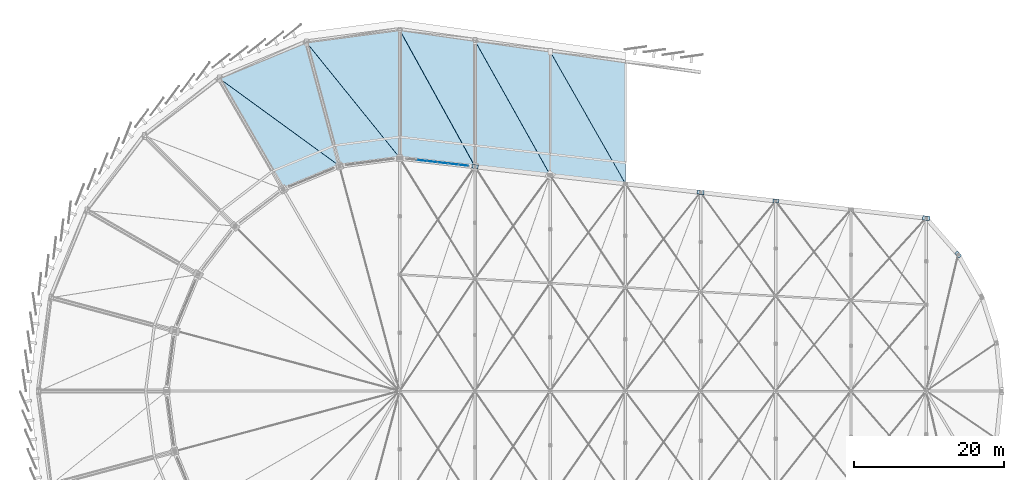
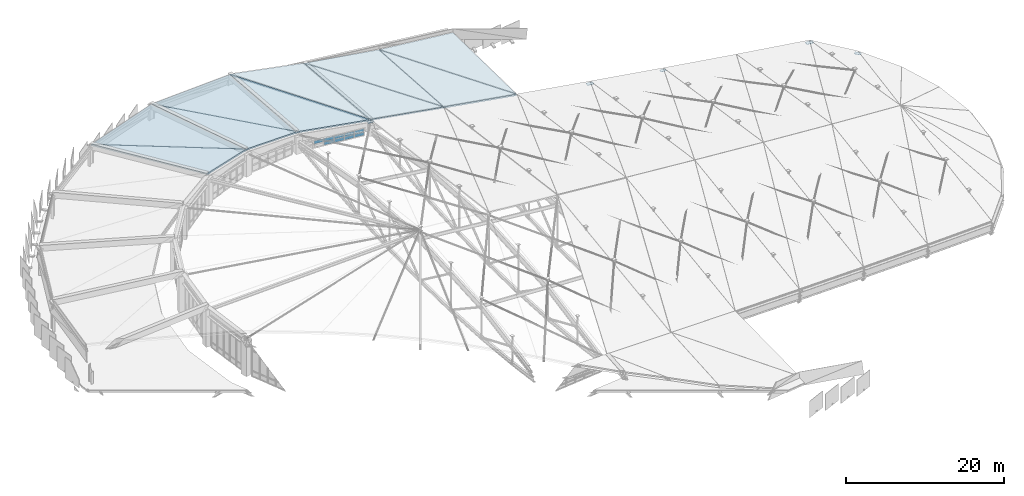
# One storey, part 59 of 68: 14 plates, 10 slabs, 1 element without a shape of its own.
"""IFC4 building model written with IfcOpenShell, lengths in metres."""

from ifc_helpers import new_model, si_unit, direction, frame, origin, origin_2d, place, context, subcontext, project, spatial, polyline, rectangle, outline, extrude, material, layer, layer_set, type_object, element, aggregate, save


model = new_model("IFC4")

# Units and contexts
model_context = context("Model", 3, precision=1e-05, world=origin(), true_north=direction((0.0, 1.0)))
body_context = subcontext(model_context, "Body", "Model", "MODEL_VIEW")
ifc_project = project(units=[si_unit("LENGTHUNIT", "METRE"), si_unit("AREAUNIT", "SQUARE_METRE"), si_unit("VOLUMEUNIT", "CUBIC_METRE"), si_unit("PLANEANGLEUNIT", "RADIAN"), si_unit("MASSUNIT", "GRAM", prefix="KILO")], contexts=[model_context])

# Site, building, storey
site_placement = place(None, origin())
site = spatial("IfcSite", under=ifc_project, at=site_placement, CompositionType="ELEMENT")
building_placement = place(site_placement, origin())
building = spatial("IfcBuilding", under=site, at=building_placement, Name="Sohan Crest Arena", CompositionType="ELEMENT")
storey_placement = place(building_placement, frame((0.0, 0.0, 27.0)))
storey = spatial("IfcBuildingStorey", under=building, at=storey_placement, Name="RF", CompositionType="ELEMENT", Elevation=27.0)

# Curtain wall, plates
ifc_material_1 = material(Name="Thermally broken anodised aluminium", Category="aluminium")
ifc_layer_1 = layer(ifc_material_1, 0.18994140625, Name="Thermally broken anodised aluminium")
ifc_layer_set_1 = layer_set([ifc_layer_1], Name="Thermally broken anodised aluminium")
curtain_wall_type = type_object("IfcCurtainWallType", Name="ARC-CW05", PredefinedType="NOTDEFINED", material=ifc_layer_set_1)
curtain_wall_placement = place(storey_placement, origin())
curtain_wall = element("IfcCurtainWall", 1, at=curtain_wall_placement, inside=storey, type_object=curtain_wall_type, Name="Unitised curtain wall CW-201", PredefinedType="NOTDEFINED")
ifc_material_2 = material(Name="Ceramic-fritted solar-control insulated glass", Category="glass")
ifc_layer_2 = layer(ifc_material_2, 0.035888671875, Name="Ceramic-fritted solar-control insulated glass")
ifc_layer_set_2 = layer_set([ifc_layer_2], Name="Ceramic-fritted solar-control insulated glass")
plate_type_1 = type_object("IfcPlateType", Name="ARC-CNP03", PredefinedType="CURTAIN_PANEL", material=ifc_layer_set_2)
plate_1_placement = place(storey_placement, frame((106.47021484375, 108.03173828125, 0.06494140625), z_axis=(0.0, 0.0, 1.0), x_axis=(-0.993526932422, 0.11359680696, 0.0)))
plate_1 = element("IfcPlate", 2, at=plate_1_placement, type_object=plate_type_1, Name="CW-201 panel 1.1", PredefinedType="CURTAIN_PANEL", context=body_context, shape_type="SweptSolid", body=[
    extrude(rectangle(XDim=1.299072265625, YDim=0.035888671875, at=origin_2d()), origin(), (0.0, 0.0, 1.0), 0.486572265625),
])
plate_2_placement = place(storey_placement, frame((106.47021484375, 108.03173828125, 0.6162109375), z_axis=(0.0, 0.0, 1.0), x_axis=(-0.993526932422, 0.11359680696, 0.0)))
plate_2 = element("IfcPlate", 3, at=plate_2_placement, type_object=plate_type_1, Name="CW-201 panel 1.2", PredefinedType="CURTAIN_PANEL", context=body_context, shape_type="SweptSolid", body=[
    extrude(rectangle(XDim=1.299072265625, YDim=0.035888671875, at=origin_2d()), origin(), (0.0, 0.0, 1.0), 0.485595703125),
])
plate_3_placement = place(storey_placement, frame((105.092529296875, 108.189208984375, 0.06494140625), z_axis=(0.0, 0.0, 1.0), x_axis=(-0.993526932422, 0.11359680696, 0.0)))
plate_3 = element("IfcPlate", 4, at=plate_3_placement, type_object=plate_type_1, Name="CW-201 panel 2.1", PredefinedType="CURTAIN_PANEL", context=body_context, shape_type="SweptSolid", body=[
    extrude(rectangle(XDim=1.333984375, YDim=0.035888671875, at=origin_2d()), origin(), (0.0, 0.0, 1.0), 0.486572265625),
])
plate_4_placement = place(storey_placement, frame((105.092529296875, 108.189208984375, 0.6162109375), z_axis=(0.0, 0.0, 1.0), x_axis=(-0.993526932422, 0.11359680696, 0.0)))
plate_4 = element("IfcPlate", 5, at=plate_4_placement, type_object=plate_type_1, Name="CW-201 panel 2.2", PredefinedType="CURTAIN_PANEL", context=body_context, shape_type="SweptSolid", body=[
    extrude(rectangle(XDim=1.333984375, YDim=0.035888671875, at=origin_2d()), origin(), (0.0, 0.0, 1.0), 0.485595703125),
])
plate_5_placement = place(storey_placement, frame((103.697509765625, 108.3486328125, 0.06494140625), z_axis=(0.0, 0.0, 1.0), x_axis=(-0.993526932422, 0.11359680696, 0.0)))
plate_5 = element("IfcPlate", 6, at=plate_5_placement, type_object=plate_type_1, Name="CW-201 panel 3.1", PredefinedType="CURTAIN_PANEL", context=body_context, shape_type="SweptSolid", body=[
    extrude(rectangle(XDim=1.333984375, YDim=0.035888671875, at=origin_2d()), origin(), (0.0, 0.0, 1.0), 0.486572265625),
])
plate_6_placement = place(storey_placement, frame((103.697509765625, 108.3486328125, 0.6162109375), z_axis=(0.0, 0.0, 1.0), x_axis=(-0.993526932422, 0.11359680696, 0.0)))
plate_6 = element("IfcPlate", 7, at=plate_6_placement, type_object=plate_type_1, Name="CW-201 panel 3.2", PredefinedType="CURTAIN_PANEL", context=body_context, shape_type="SweptSolid", body=[
    extrude(rectangle(XDim=1.333984375, YDim=0.035888671875, at=origin_2d()), origin(), (0.0, 0.0, 1.0), 0.485595703125),
])
plate_7_placement = place(storey_placement, frame((102.302490234375, 108.50830078125, 0.06494140625), z_axis=(0.0, 0.0, 1.0), x_axis=(-0.993526932422, 0.11359680696, 0.0)))
plate_7 = element("IfcPlate", 8, at=plate_7_placement, type_object=plate_type_1, Name="CW-201 panel 4.1", PredefinedType="CURTAIN_PANEL", context=body_context, shape_type="SweptSolid", body=[
    extrude(rectangle(XDim=1.333984375, YDim=0.035888671875, at=origin_2d()), origin(), (0.0, 0.0, 1.0), 0.486572265625),
])
plate_8_placement = place(storey_placement, frame((102.302490234375, 108.50830078125, 0.6162109375), z_axis=(0.0, 0.0, 1.0), x_axis=(-0.993526932422, 0.11359680696, 0.0)))
plate_8 = element("IfcPlate", 9, at=plate_8_placement, type_object=plate_type_1, Name="CW-201 panel 4.2", PredefinedType="CURTAIN_PANEL", context=body_context, shape_type="SweptSolid", body=[
    extrude(rectangle(XDim=1.333984375, YDim=0.035888671875, at=origin_2d()), origin(), (0.0, 0.0, 1.0), 0.485595703125),
])
plate_9_placement = place(storey_placement, frame((100.907470703125, 108.667724609375, 0.6162109375), z_axis=(0.0, 0.0, 1.0), x_axis=(-0.993526932422, 0.11359680696, 0.0)))
plate_9 = element("IfcPlate", 10, at=plate_9_placement, type_object=plate_type_1, Name="CW-201 panel 5.2", PredefinedType="CURTAIN_PANEL", context=body_context, shape_type="SweptSolid", body=[
    extrude(rectangle(XDim=1.333984375, YDim=0.035888671875, at=origin_2d()), origin(), (0.0, 0.0, 1.0), 0.485595703125),
])
aggregate(curtain_wall, [plate_1, plate_2, plate_3, plate_4, plate_5, plate_6, plate_7, plate_8, plate_9])

# Slabs
ifc_material_3 = material(Name="Concrete C40/50", Category="concrete")
ifc_layer_3 = layer(ifc_material_3, 0.195068359375, Name="Concrete C40/50")
ifc_layer_set_3 = layer_set([ifc_layer_3], Name="Concrete C40/50")
slab_type = type_object("IfcSlabType", Name="SL-RF02", PredefinedType="ROOF", material=ifc_layer_set_3)
slab_1_placement = place(storey_placement, frame((97.991943359375, 109.02197265625, 3.156982421875), z_axis=(0.050367447576, 0.085043371256, 0.995103384192), x_axis=(0.0, 0.996368019697, -0.08515144934)))
element("IfcSlab", 11, at=slab_1_placement, inside=storey, type_object=slab_type, Name="Sloped roof deck panel RF-SL-049", PredefinedType="ROOF", context=body_context, shape_type="SweptSolid", body=[
    extrude(outline(polyline([(0.0, 0.0), (17.02790948497241, 0.0), (15.335465261930256, 12.413705256790529), (0.0, 0.0)])), origin(), (0.0, 0.0, -1.0), 0.195068359375),
])
slab_2_placement = place(storey_placement, frame((97.986083984375, 109.010009765625, 3.156982421875), z_axis=(0.080535463488, 0.109243871098, 0.990747099793), x_axis=(-0.628385122436, 0.777132095967, -0.034609873136)))
element("IfcSlab", 12, at=slab_2_placement, inside=storey, type_object=slab_type, Name="Sloped roof deck panel RF-SL-050", PredefinedType="ROOF", context=body_context, shape_type="SweptSolid", body=[
    extrude(outline(polyline([(0.0, 0.0), (19.730246494863795, 4.718447854656915e-16), (4.18591879415617, 6.949148391085508), (0.0, 0.0)])), origin(), (0.0, 0.0, -1.0), 0.195068359375),
])
slab_3_placement = place(storey_placement, frame((89.962890625, 107.962890625, 3.924072265625), z_axis=(0.023764008276, 0.094427667193, 0.995248053291), x_axis=(-0.257875109561, 0.962418298802, -0.085155422612)))
element("IfcSlab", 13, at=slab_3_placement, inside=storey, type_object=slab_type, Name="Sloped roof deck panel RF-SL-051", PredefinedType="ROOF", context=body_context, shape_type="SweptSolid", body=[
    extrude(outline(polyline([(0.0, 0.0), (17.027114978644033, -2.914335439641036e-16), (15.338168815716916, 12.412947981430916), (0.0, 0.0)])), origin(), (0.0, 0.0, -1.0), 0.195068359375),
])
slab_4_placement = place(storey_placement, frame((89.9609375, 107.949951171875, 3.924072265625), z_axis=(0.045551338616, 0.124122815708, 0.99122076359), x_axis=(-0.808080883622, 0.587940398529, -0.036487988452)))
element("IfcSlab", 14, at=slab_4_placement, inside=storey, type_object=slab_type, Name="Sloped roof deck panel RF-SL-052", PredefinedType="ROOF", context=body_context, shape_type="SweptSolid", body=[
    extrude(outline(polyline([(0.0, 0.0), (19.73171812613237, 1.2073675392798577e-15), (4.185832923773577, 6.945971145096835), (0.0, 0.0)])), origin(), (0.0, 0.0, -1.0), 0.195068359375),
])
slab_5_placement = place(storey_placement, frame((127.992919921875, 105.593017578125, 0.472900390625), z_axis=(0.002365908166, 0.016560546918, 0.999860065591), x_axis=(0.0, 0.999862863972, -0.016560593268)))
element("IfcSlab", 15, at=slab_5_placement, inside=storey, type_object=slab_type, Name="Sloped roof deck panel RF-SL-111", PredefinedType="ROOF", context=body_context, shape_type="SweptSolid", body=[
    extrude(outline(polyline([(0.0, 0.0), (16.11329369746797, 2.168404344971009e-19), (17.538879421490787, 9.980008400444632), (0.0, 0.0)])), origin(), (0.0, 0.0, -1.0), 0.195068359375),
])
slab_6_placement = place(storey_placement, frame((127.987060546875, 105.5830078125, 0.472900390625), z_axis=(0.093410699905, 0.068271830998, 0.993284147782), x_axis=(-0.494554756656, 0.869045875046, -0.013223453912)))
element("IfcSlab", 16, at=slab_6_placement, inside=storey, type_object=slab_type, Name="Sloped roof deck panel RF-SL-112", PredefinedType="ROOF", context=body_context, shape_type="SweptSolid", body=[
    extrude(outline(polyline([(0.0, 0.0), (20.179727996596498, 1.491862189340054e-16), (5.9159530113368985, 8.163543006691086), (0.0, 0.0)])), origin(), (0.0, 0.0, -1.0), 0.195068359375),
])
slab_7_placement = place(storey_placement, frame((117.992919921875, 106.737060546875, 1.3330078125), z_axis=(0.066920646942, 0.068417932428, 0.995409771669), x_axis=(0.0, 0.997646194246, -0.068571649433)))
element("IfcSlab", 17, at=slab_7_placement, inside=storey, type_object=slab_type, Name="Sloped roof deck panel RF-SL-113", PredefinedType="ROOF", context=body_context, shape_type="SweptSolid", body=[
    extrude(outline(polyline([(0.0, 0.0), (16.434680138421086, -1.3877787807814457e-17), (17.81708325721878, 10.002402846218144), (0.0, 0.0)])), origin(), (0.0, 0.0, -1.0), 0.195068359375),
])
slab_8_placement = place(storey_placement, frame((117.987060546875, 106.72705078125, 1.3330078125), z_axis=(0.098846336152, 0.086170930041, 0.991364702138), x_axis=(-0.48843104729, 0.872181229437, -0.02711116117)))
element("IfcSlab", 18, at=slab_8_placement, inside=storey, type_object=slab_type, Name="Sloped roof deck panel RF-SL-114", PredefinedType="ROOF", context=body_context, shape_type="SweptSolid", body=[
    extrude(outline(polyline([(0.0, 0.0), (20.432731547512162, -1.1102230246251565e-15), (5.844433727997373, 8.218562443965363), (0.0, 0.0)])), origin(), (0.0, 0.0, -1.0), 0.195068359375),
])
slab_9_placement = place(storey_placement, frame((107.992919921875, 107.8798828125, 2.22900390625), z_axis=(0.104433952215, 0.086121494262, 0.990795961766), x_axis=(0.0, 0.996243596753, -0.086595010993)))
element("IfcSlab", 19, at=slab_9_placement, inside=storey, type_object=slab_type, Name="Sloped roof deck panel RF-SL-115", PredefinedType="ROOF", context=body_context, shape_type="SweptSolid", body=[
    extrude(outline(polyline([(0.0, 0.0), (16.744049746588125, -2.7755575615628914e-17), (18.084360101043377, 10.034852806620545), (0.0, 0.0)])), origin(), (0.0, 0.0, -1.0), 0.195068359375),
])
slab_10_placement = place(storey_placement, frame((107.987060546875, 107.8701171875, 2.22900390625), z_axis=(0.101848056804, 0.08470865895, 0.991186872605), x_axis=(-0.482550815236, 0.875504275229, -0.025238359092)))
element("IfcSlab", 20, at=slab_10_placement, inside=storey, type_object=slab_type, Name="Sloped roof deck panel RF-SL-116", PredefinedType="ROOF", context=body_context, shape_type="SweptSolid", body=[
    extrude(outline(polyline([(0.0, 0.0), (20.68171921719702, 4.163336342344337e-17), (5.791262866326451, 8.259782750849553), (0.0, 0.0)])), origin(), (0.0, 0.0, -1.0), 0.195068359375),
])

# Plates
ifc_material_4 = material(Name="Steel S355", Category="steel")
ifc_layer_4 = layer(ifc_material_4, 0.030029296875, Name="Steel S355")
ifc_layer_set_4 = layer_set([ifc_layer_4], Name="Steel S355")
plate_type_2 = type_object("IfcPlateType", Name="STR-PL-GP02", PredefinedType="USERDEFINED", material=ifc_layer_set_4)
plate_10_placement = place(storey_placement, frame((148.0, 103.285888671875, -1.4521484375), z_axis=(0.0, 0.0, 1.0), x_axis=(-0.993571855677, 0.113203213768, 0.0)))
element("IfcPlate", 21, at=plate_10_placement, inside=storey, type_object=plate_type_2, Name="Ring beam node gusset plate GP-RB30", ObjectType="GUSSET PLATE", PredefinedType="USERDEFINED", context=body_context, shape_type="SweptSolid", body=[
    extrude(rectangle(XDim=0.780029296875, YDim=0.47998046875, at=origin_2d()), origin(), (0.0, 0.0, 1.0), 0.030029296875),
])
ifc_layer_5 = layer(ifc_material_4, 0.034912109375, Name="Steel S355")
ifc_layer_set_5 = layer_set([ifc_layer_5], Name="Steel S355")
plate_type_3 = type_object("IfcPlateType", Name="STR-PL-GP03", PredefinedType="USERDEFINED", material=ifc_layer_set_5)
plate_11_placement = place(storey_placement, frame((138.0, 104.428955078125, -0.6875), z_axis=(0.0, 0.0, 1.0), x_axis=(-0.993571855677, 0.113203213768, 0.0)))
element("IfcPlate", 22, at=plate_11_placement, inside=storey, type_object=plate_type_3, Name="Ring beam node gusset plate GP-RB31", ObjectType="GUSSET PLATE", PredefinedType="USERDEFINED", context=body_context, shape_type="SweptSolid", body=[
    extrude(rectangle(XDim=0.89990234375, YDim=0.550048828125, at=origin_2d()), origin(), (0.0, 0.0, 1.0), 0.034912109375),
])
ifc_layer_6 = layer(ifc_material_4, 0.031982421875, Name="Steel S355")
ifc_layer_set_6 = layer_set([ifc_layer_6], Name="Steel S355")
plate_type_4 = type_object("IfcPlateType", Name="STR-PL-GP06", PredefinedType="USERDEFINED", material=ifc_layer_set_6)
for number, where, z_axis, x_axis, name in (
    (23, (172.242919921875, 96.154052734375, -3.0009765625), (0.0, 0.0, 1.0), (-0.658689460119, 0.752414908896, 0.0), "Ring beam node gusset plate GP-RB27"),
    (24, (108.0, 107.85693359375, 1.88720703125), (0.0, 0.0, 1.0), (-0.993571855677, 0.113203213768, 0.0), "Ring beam node gusset plate GP-RB34"),
):
    element("IfcPlate", number, at=place(storey_placement, frame(where, z_axis=z_axis, x_axis=x_axis)), inside=storey, type_object=plate_type_4, Name=name, ObjectType="GUSSET PLATE", PredefinedType="USERDEFINED", context=body_context, shape_type="SweptSolid", body=[
        extrude(rectangle(XDim=0.840087890625, YDim=0.5, at=origin_2d()), origin(), (0.0, 0.0, 1.0), 0.031982421875),
    ])
ifc_layer_7 = layer(ifc_material_4, 0.033935546875, Name="Steel S355")
ifc_layer_set_7 = layer_set([ifc_layer_7], Name="Steel S355")
plate_type_5 = type_object("IfcPlateType", Name="STR-PL-GP07", PredefinedType="USERDEFINED", material=ifc_layer_set_7)
plate_12_placement = place(storey_placement, frame((168.0, 101.0, -2.77783203125), z_axis=(0.0, 0.0, 1.0), x_axis=(-0.993571855677, 0.113203213768, 0.0)))
element("IfcPlate", 25, at=plate_12_placement, inside=storey, type_object=plate_type_5, Name="Ring beam node gusset plate GP-RB28", ObjectType="GUSSET PLATE", PredefinedType="USERDEFINED", context=body_context, shape_type="SweptSolid", body=[
    extrude(rectangle(XDim=0.9599609375, YDim=0.580078125, at=origin_2d()), origin(), (0.0, 0.0, 1.0), 0.033935546875),
])

save(model, "model.ifc")
